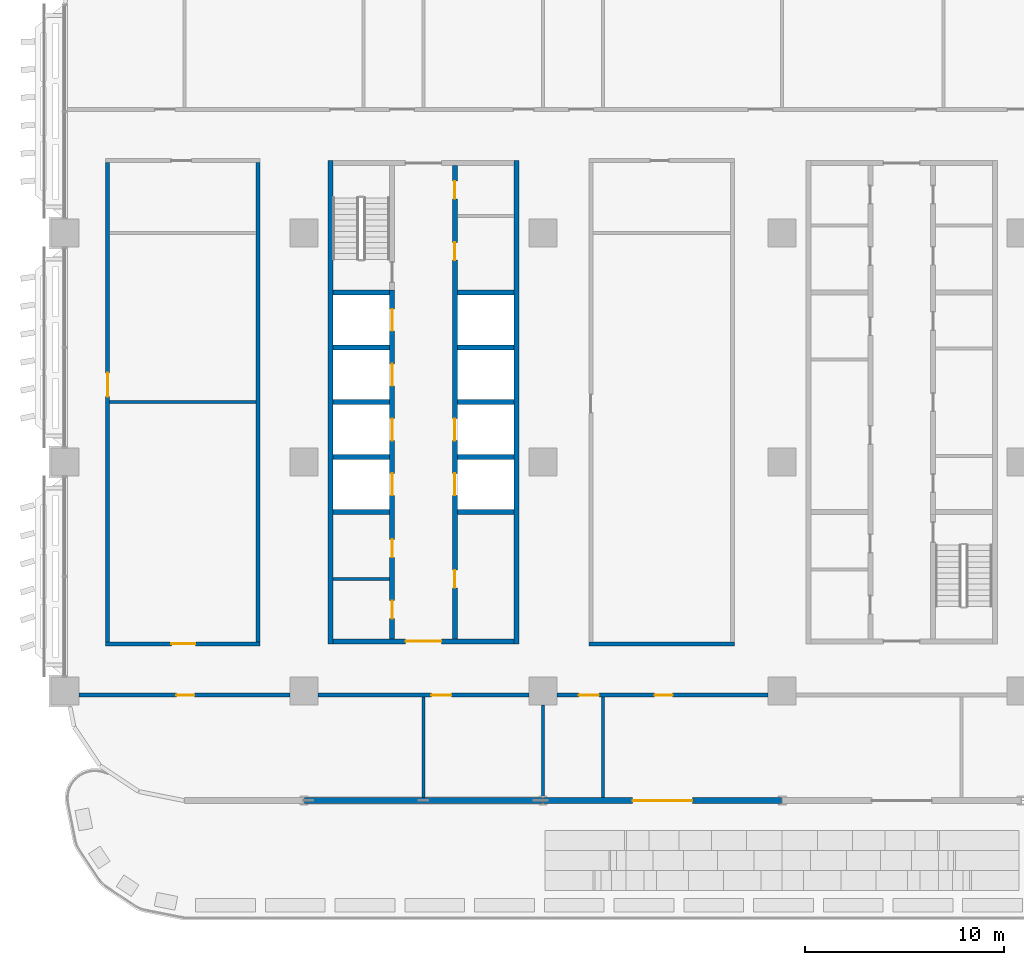
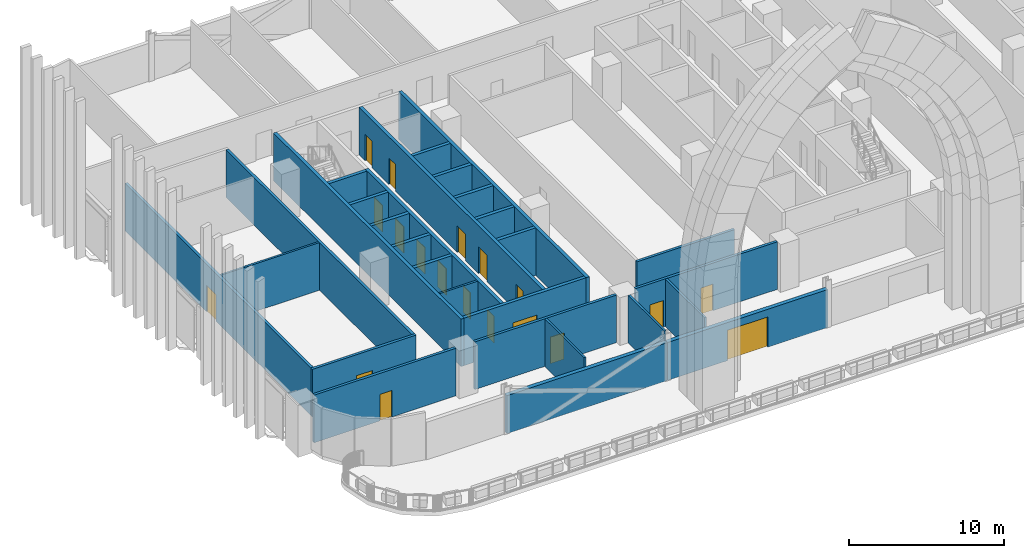
# One storey, part 10 of 31: 29 walls, 19 doors, 19 openings.
"""IFC4 building model written with IfcOpenShell, lengths in metres."""

from ifc_helpers import new_model, si_unit, direction, frame, frame_2d, origin, place, context, subcontext, project, spatial, rectangle, extrude, material, layer, layer_set, type_object, element, fill, save


model = new_model("IFC4")

# Units and contexts
model_context = context("Model", 3, precision=1e-05, world=origin(), true_north=direction((0.0, 1.0)))
body_context = subcontext(model_context, "Body", "Model", "MODEL_VIEW")
ifc_project = project(units=[si_unit("LENGTHUNIT", "METRE"), si_unit("AREAUNIT", "SQUARE_METRE"), si_unit("VOLUMEUNIT", "CUBIC_METRE"), si_unit("PLANEANGLEUNIT", "RADIAN"), si_unit("MASSUNIT", "GRAM", prefix="KILO")], contexts=[model_context])

# Site, building, storey
site_placement = place(None, origin())
site = spatial("IfcSite", under=ifc_project, at=site_placement, CompositionType="ELEMENT")
building_placement = place(site_placement, origin())
building = spatial("IfcBuilding", under=site, at=building_placement, Name="Mahtab Terrace Research Tower", CompositionType="ELEMENT")
storey_placement = place(building_placement, frame((0.0, 0.0, 84.800048828125)))
storey = spatial("IfcBuildingStorey", under=building, at=storey_placement, Name="L19", CompositionType="ELEMENT", Elevation=84.800048828125)

# Walls
ifc_material_1 = material(Name="Gypsum board partition")
ifc_layer_1 = layer(ifc_material_1, 0.14990234375)
ifc_layer_set_1 = layer_set([ifc_layer_1], Name="Core partition 150")
wall_type_1 = type_object("IfcWallType", Name="Core partition 150", PredefinedType="PARTITIONING", material=ifc_layer_set_1)
wall_1_placement = place(storey_placement, frame((-28.550048828125, -5.875, 0.0), z_axis=(0.0, 0.0, 1.0), x_axis=(1.0, 0.0, 0.0)))
element("IfcWall", 1, at=wall_1_placement, inside=storey, type_object=wall_type_1, Name="Core wall A pWS-888", PredefinedType="PARTITIONING", context=body_context, shape_type="SweptSolid", body=[
    extrude(rectangle(XDim=2.85009765625, YDim=0.14990234375, at=frame_2d((1.425048828125, 0.0))), origin(), (0.0, 0.0, 1.0), 3.760009765625),
])
ifc_material_2 = material(Name="Concrete C70/85", Category="concrete")
ifc_layer_2 = layer(ifc_material_2, 0.25)
ifc_layer_set_2 = layer_set([ifc_layer_2], Name="Core wall 250")
wall_type_2 = type_object("IfcWallType", Name="Core wall 250", PredefinedType="SOLIDWALL", material=ifc_layer_set_2)
for number, where, z_axis, x_axis, name in (
    (2, (-28.675048828125, 15.125, 0.0), (0.0, 0.0, 1.0), (0.0, -1.0, 0.0), "Core wall A outerW"),
    (3, (-19.324951171875, -9.125, 0.0), (0.0, 0.0, 1.0), (0.0, 1.0, 0.0), "Core wall A outerE"),
):
    element("IfcWall", number, at=place(storey_placement, frame(where, z_axis=z_axis, x_axis=x_axis)), inside=storey, type_object=wall_type_2, Name=name, PredefinedType="SOLIDWALL", context=body_context, shape_type="SweptSolid", body=[
        extrude(rectangle(XDim=24.25, YDim=0.25, at=frame_2d((12.125, 0.0))), origin(), (0.0, 0.0, 1.0), 3.760009765625),
    ])

# Wall, opening, door
wall_2_placement = place(storey_placement, frame((-19.449951171875, -9.0, 0.0), z_axis=(0.0, 0.0, 1.0), x_axis=(-1.0, 0.0, 0.0)))
wall_2 = element("IfcWall", 4, at=wall_2_placement, inside=storey, type_object=wall_type_2, Name="Core wall A endS", PredefinedType="SOLIDWALL", context=body_context, shape_type="SweptSolid", body=[
    extrude(rectangle(XDim=9.10009765625, YDim=0.25, at=frame_2d((4.550048828125, 0.0))), origin(), (0.0, 0.0, 1.0), 3.760009765625),
])
opening_1_placement = place(wall_2_placement, frame((3.64990234375, 0.0, 0.0)))
opening_1 = element("IfcOpeningElement", 5, at=opening_1_placement, cuts=wall_2, Name="Opening A-S1", PredefinedType="OPENING", context=body_context, shape_type="SweptSolid", body=[
    extrude(rectangle(XDim=1.800048828125, YDim=2.10009765625, at=frame_2d((0.89990234375, 1.050048828125))), frame((0.0, 0.135009765625, 0.0), z_axis=(0.0, -1.0, 0.0), x_axis=(1.0, 0.0, 0.0)), (0.0, 0.0, 1.0), 0.27001953125),
])
ifc_material_3 = material(Name="Steel fire door", Category="steel")
door_type_1 = type_object("IfcDoorType", Name="Lobby double door 1800x2100 1 HR", OperationType="DOUBLE_DOOR_SINGLE_SWING", PredefinedType="DOOR", material=ifc_material_3)
door_1_placement = place(opening_1_placement, origin())
door_1 = element("IfcDoor", 6, at=door_1_placement, inside=storey, type_object=door_type_1, Name="Core entrance door A S", OperationType="DOUBLE_DOOR_SINGLE_SWING", OverallHeight=2.10009765625, OverallWidth=1.800048828125, PredefinedType="DOOR", context=body_context, shape_type="SweptSolid", body=[
    extrude(rectangle(XDim=1.800048828125, YDim=2.10009765625, at=frame_2d((0.89990234375, 1.050048828125))), frame((0.0, 0.02490234375, 0.0), z_axis=(0.0, -1.0, 0.0), x_axis=(1.0, 0.0, 0.0)), (0.0, 0.0, 1.0), 0.050048828125),
])
fill(opening_1, door_1)

# Wall, openings, doors
wall_3_placement = place(storey_placement, frame((-25.574951171875, -8.875, 0.0), z_axis=(0.0, 0.0, 1.0), x_axis=(0.0, 1.0, 0.0)))
wall_3 = element("IfcWall", 7, at=wall_3_placement, inside=storey, type_object=wall_type_2, Name="Core wall A innerWSL", PredefinedType="SOLIDWALL", context=body_context, shape_type="SweptSolid", body=[
    extrude(rectangle(XDim=17.5, YDim=0.25, at=frame_2d((8.75, 0.0))), origin(), (0.0, 0.0, 1.0), 3.760009765625),
])
opening_2_placement = place(wall_3_placement, frame((7.199951171875, 0.0, 0.0)))
opening_2 = element("IfcOpeningElement", 8, at=opening_2_placement, cuts=wall_3, Name="Opening LD01-L19", PredefinedType="OPENING", context=body_context, shape_type="SweptSolid", body=[
    extrude(rectangle(XDim=1.10009765625, YDim=2.10009765625, at=frame_2d((0.550048828125, 1.050048828125))), frame((0.0, 0.135009765625, 0.0), z_axis=(0.0, -1.0, 0.0), x_axis=(1.0, 0.0, 0.0)), (0.0, 0.0, 1.0), 0.27001953125),
])
opening_3_placement = place(wall_3_placement, frame((9.949951171875, 0.0, 0.0)))
opening_3 = element("IfcOpeningElement", 9, at=opening_3_placement, cuts=wall_3, Name="Opening LD02-L19", PredefinedType="OPENING", context=body_context, shape_type="SweptSolid", body=[
    extrude(rectangle(XDim=1.10009765625, YDim=2.10009765625, at=frame_2d((0.550048828125, 1.050048828125))), frame((0.0, 0.135009765625, 0.0), z_axis=(0.0, -1.0, 0.0), x_axis=(1.0, 0.0, 0.0)), (0.0, 0.0, 1.0), 0.27001953125),
])
opening_4_placement = place(wall_3_placement, frame((12.699951171875, 0.0, 0.0)))
opening_4 = element("IfcOpeningElement", 10, at=opening_4_placement, cuts=wall_3, Name="Opening LD03-L19", PredefinedType="OPENING", context=body_context, shape_type="SweptSolid", body=[
    extrude(rectangle(XDim=1.10009765625, YDim=2.10009765625, at=frame_2d((0.550048828125, 1.050048828125))), frame((0.0, 0.135009765625, 0.0), z_axis=(0.0, -1.0, 0.0), x_axis=(1.0, 0.0, 0.0)), (0.0, 0.0, 1.0), 0.27001953125),
])
opening_5_placement = place(wall_3_placement, frame((15.449951171875, 0.0, 0.0)))
opening_5 = element("IfcOpeningElement", 11, at=opening_5_placement, cuts=wall_3, Name="Opening LD04-L19", PredefinedType="OPENING", context=body_context, shape_type="SweptSolid", body=[
    extrude(rectangle(XDim=1.10009765625, YDim=2.10009765625, at=frame_2d((0.550048828125, 1.050048828125))), frame((0.0, 0.135009765625, 0.0), z_axis=(0.0, -1.0, 0.0), x_axis=(1.0, 0.0, 0.0)), (0.0, 0.0, 1.0), 0.27001953125),
])
opening_6_placement = place(wall_3_placement, frame((1.012451171875, 0.0, 0.0)))
opening_6 = element("IfcOpeningElement", 12, at=opening_6_placement, cuts=wall_3, Name="Opening A-R1", PredefinedType="OPENING", context=body_context, shape_type="SweptSolid", body=[
    extrude(rectangle(XDim=0.89990234375, YDim=2.10009765625, at=frame_2d((0.449951171875, 1.050048828125))), frame((0.0, 0.135009765625, 0.0), z_axis=(0.0, -1.0, 0.0), x_axis=(1.0, 0.0, 0.0)), (0.0, 0.0, 1.0), 0.27001953125),
])
opening_7_placement = place(wall_3_placement, frame((4.08740234375, 0.0, 0.0)))
opening_7 = element("IfcOpeningElement", 13, at=opening_7_placement, cuts=wall_3, Name="Opening A-R2", PredefinedType="OPENING", context=body_context, shape_type="SweptSolid", body=[
    extrude(rectangle(XDim=0.89990234375, YDim=2.10009765625, at=frame_2d((0.449951171875, 1.050048828125))), frame((0.0, 0.135009765625, 0.0), z_axis=(0.0, -1.0, 0.0), x_axis=(1.0, 0.0, 0.0)), (0.0, 0.0, 1.0), 0.27001953125),
])
ifc_material_4 = material(Name="Stainless steel AISI 304", Category="steel")
door_type_2 = type_object("IfcDoorType", Name="Landing door 1100x2100", OperationType="DOUBLE_DOOR_SLIDING", PredefinedType="DOOR", material=ifc_material_4)
door_2_placement = place(opening_2_placement, origin())
door_2 = element("IfcDoor", 14, at=door_2_placement, inside=storey, type_object=door_type_2, Name="Landing door LR1 L19", OperationType="DOUBLE_DOOR_SLIDING", OverallHeight=2.10009765625, OverallWidth=1.10009765625, PredefinedType="DOOR", context=body_context, shape_type="SweptSolid", body=[
    extrude(rectangle(XDim=1.10009765625, YDim=2.10009765625, at=frame_2d((0.550048828125, 1.050048828125))), frame((0.0, 0.02490234375, 0.0), z_axis=(0.0, -1.0, 0.0), x_axis=(1.0, 0.0, 0.0)), (0.0, 0.0, 1.0), 0.050048828125),
])
fill(opening_2, door_2)
door_3_placement = place(opening_3_placement, origin())
door_3 = element("IfcDoor", 15, at=door_3_placement, inside=storey, type_object=door_type_2, Name="Landing door LR2 L19", OperationType="DOUBLE_DOOR_SLIDING", OverallHeight=2.10009765625, OverallWidth=1.10009765625, PredefinedType="DOOR", context=body_context, shape_type="SweptSolid", body=[
    extrude(rectangle(XDim=1.10009765625, YDim=2.10009765625, at=frame_2d((0.550048828125, 1.050048828125))), frame((0.0, 0.02490234375, 0.0), z_axis=(0.0, -1.0, 0.0), x_axis=(1.0, 0.0, 0.0)), (0.0, 0.0, 1.0), 0.050048828125),
])
fill(opening_3, door_3)
door_4_placement = place(opening_4_placement, origin())
door_4 = element("IfcDoor", 16, at=door_4_placement, inside=storey, type_object=door_type_2, Name="Landing door LR3 L19", OperationType="DOUBLE_DOOR_SLIDING", OverallHeight=2.10009765625, OverallWidth=1.10009765625, PredefinedType="DOOR", context=body_context, shape_type="SweptSolid", body=[
    extrude(rectangle(XDim=1.10009765625, YDim=2.10009765625, at=frame_2d((0.550048828125, 1.050048828125))), frame((0.0, 0.02490234375, 0.0), z_axis=(0.0, -1.0, 0.0), x_axis=(1.0, 0.0, 0.0)), (0.0, 0.0, 1.0), 0.050048828125),
])
fill(opening_4, door_4)
door_5_placement = place(opening_5_placement, origin())
door_5 = element("IfcDoor", 17, at=door_5_placement, inside=storey, type_object=door_type_2, Name="Landing door LR4 L19", OperationType="DOUBLE_DOOR_SLIDING", OverallHeight=2.10009765625, OverallWidth=1.10009765625, PredefinedType="DOOR", context=body_context, shape_type="SweptSolid", body=[
    extrude(rectangle(XDim=1.10009765625, YDim=2.10009765625, at=frame_2d((0.550048828125, 1.050048828125))), frame((0.0, 0.02490234375, 0.0), z_axis=(0.0, -1.0, 0.0), x_axis=(1.0, 0.0, 0.0)), (0.0, 0.0, 1.0), 0.050048828125),
])
fill(opening_5, door_5)
door_type_3 = type_object("IfcDoorType", Name="Room door 900x2100 1 HR", OperationType="NOTDEFINED", PredefinedType="DOOR", material=ifc_material_3)
door_6_placement = place(opening_6_placement, origin())
door_6 = element("IfcDoor", 18, at=door_6_placement, inside=storey, type_object=door_type_3, Name="Staff WC door", OperationType="SINGLE_SWING_LEFT", OverallHeight=2.10009765625, OverallWidth=0.89990234375, PredefinedType="DOOR", context=body_context, shape_type="SweptSolid", body=[
    extrude(rectangle(XDim=0.89990234375, YDim=2.10009765625, at=frame_2d((0.449951171875, 1.050048828125))), frame((0.0, 0.02490234375, 0.0), z_axis=(0.0, -1.0, 0.0), x_axis=(1.0, 0.0, 0.0)), (0.0, 0.0, 1.0), 0.050048828125),
])
fill(opening_6, door_6)
door_7_placement = place(opening_7_placement, origin())
door_7 = element("IfcDoor", 19, at=door_7_placement, inside=storey, type_object=door_type_3, Name="Accessible WC door", OperationType="SINGLE_SWING_RIGHT", OverallHeight=2.10009765625, OverallWidth=0.89990234375, PredefinedType="DOOR", context=body_context, shape_type="SweptSolid", body=[
    extrude(rectangle(XDim=0.89990234375, YDim=2.10009765625, at=frame_2d((0.449951171875, 1.050048828125))), frame((0.0, 0.02490234375, 0.0), z_axis=(0.0, -1.0, 0.0), x_axis=(1.0, 0.0, 0.0)), (0.0, 0.0, 1.0), 0.050048828125),
])
fill(opening_7, door_7)

wall_4_placement = place(storey_placement, frame((-22.425048828125, 14.875, 0.0), z_axis=(0.0, 0.0, 1.0), x_axis=(0.0, -1.0, 0.0)))
wall_4 = element("IfcWall", 20, at=wall_4_placement, inside=storey, type_object=wall_type_2, Name="Core wall A innerESLN", PredefinedType="SOLIDWALL", context=body_context, shape_type="SweptSolid", body=[
    extrude(rectangle(XDim=23.75, YDim=0.25, at=frame_2d((11.875, 0.0))), origin(), (0.0, 0.0, 1.0), 3.760009765625),
])
opening_8_placement = place(wall_4_placement, frame((15.449951171875, 0.0, 0.0)))
opening_8 = element("IfcOpeningElement", 21, at=opening_8_placement, cuts=wall_4, Name="Opening LD05-L19", PredefinedType="OPENING", context=body_context, shape_type="SweptSolid", body=[
    extrude(rectangle(XDim=1.10009765625, YDim=2.10009765625, at=frame_2d((0.550048828125, 1.050048828125))), frame((0.0, 0.135009765625, 0.0), z_axis=(0.0, -1.0, 0.0), x_axis=(1.0, 0.0, 0.0)), (0.0, 0.0, 1.0), 0.27001953125),
])
opening_9_placement = place(wall_4_placement, frame((12.699951171875, 0.0, 0.0)))
opening_9 = element("IfcOpeningElement", 22, at=opening_9_placement, cuts=wall_4, Name="Opening LD06-L19", PredefinedType="OPENING", context=body_context, shape_type="SweptSolid", body=[
    extrude(rectangle(XDim=1.10009765625, YDim=2.10009765625, at=frame_2d((0.550048828125, 1.050048828125))), frame((0.0, 0.135009765625, 0.0), z_axis=(0.0, -1.0, 0.0), x_axis=(1.0, 0.0, 0.0)), (0.0, 0.0, 1.0), 0.27001953125),
])
opening_10_placement = place(wall_4_placement, frame((20.300048828125, 0.0, 0.0)))
opening_10 = element("IfcOpeningElement", 23, at=opening_10_placement, cuts=wall_4, Name="Opening A-R3", PredefinedType="OPENING", context=body_context, shape_type="SweptSolid", body=[
    extrude(rectangle(XDim=0.89990234375, YDim=2.10009765625, at=frame_2d((0.449951171875, 1.050048828125))), frame((0.0, 0.135009765625, 0.0), z_axis=(0.0, -1.0, 0.0), x_axis=(1.0, 0.0, 0.0)), (0.0, 0.0, 1.0), 0.27001953125),
])
opening_11_placement = place(wall_4_placement, frame((3.847412109375, 0.0, 0.0)))
opening_11 = element("IfcOpeningElement", 24, at=opening_11_placement, cuts=wall_4, Name="Opening A-R4", PredefinedType="OPENING", context=body_context, shape_type="SweptSolid", body=[
    extrude(rectangle(XDim=0.89990234375, YDim=2.10009765625, at=frame_2d((0.449951171875, 1.050048828125))), frame((0.0, 0.135009765625, 0.0), z_axis=(0.0, -1.0, 0.0), x_axis=(1.0, 0.0, 0.0)), (0.0, 0.0, 1.0), 0.27001953125),
])
opening_12_placement = place(wall_4_placement, frame((0.7724609375, 0.0, 0.0)))
opening_12 = element("IfcOpeningElement", 25, at=opening_12_placement, cuts=wall_4, Name="Opening A-R5", PredefinedType="OPENING", context=body_context, shape_type="SweptSolid", body=[
    extrude(rectangle(XDim=0.89990234375, YDim=2.10009765625, at=frame_2d((0.449951171875, 1.050048828125))), frame((0.0, 0.135009765625, 0.0), z_axis=(0.0, -1.0, 0.0), x_axis=(1.0, 0.0, 0.0)), (0.0, 0.0, 1.0), 0.27001953125),
])
door_8_placement = place(opening_8_placement, origin())
door_8 = element("IfcDoor", 26, at=door_8_placement, inside=storey, type_object=door_type_2, Name="Landing door LR5 L19", OperationType="DOUBLE_DOOR_SLIDING", OverallHeight=2.10009765625, OverallWidth=1.10009765625, PredefinedType="DOOR", context=body_context, shape_type="SweptSolid", body=[
    extrude(rectangle(XDim=1.10009765625, YDim=2.10009765625, at=frame_2d((0.550048828125, 1.050048828125))), frame((0.0, 0.02490234375, 0.0), z_axis=(0.0, -1.0, 0.0), x_axis=(1.0, 0.0, 0.0)), (0.0, 0.0, 1.0), 0.050048828125),
])
fill(opening_8, door_8)
door_9_placement = place(opening_9_placement, origin())
door_9 = element("IfcDoor", 27, at=door_9_placement, inside=storey, type_object=door_type_2, Name="Landing door LR6 L19", OperationType="DOUBLE_DOOR_SLIDING", OverallHeight=2.10009765625, OverallWidth=1.10009765625, PredefinedType="DOOR", context=body_context, shape_type="SweptSolid", body=[
    extrude(rectangle(XDim=1.10009765625, YDim=2.10009765625, at=frame_2d((0.550048828125, 1.050048828125))), frame((0.0, 0.02490234375, 0.0), z_axis=(0.0, -1.0, 0.0), x_axis=(1.0, 0.0, 0.0)), (0.0, 0.0, 1.0), 0.050048828125),
])
fill(opening_9, door_9)
door_10_placement = place(opening_10_placement, origin())
door_10 = element("IfcDoor", 28, at=door_10_placement, inside=storey, type_object=door_type_3, Name="Gas cylinder store door", OperationType="SINGLE_SWING_LEFT", OverallHeight=2.10009765625, OverallWidth=0.89990234375, PredefinedType="DOOR", context=body_context, shape_type="SweptSolid", body=[
    extrude(rectangle(XDim=0.89990234375, YDim=2.10009765625, at=frame_2d((0.449951171875, 1.050048828125))), frame((0.0, 0.02490234375, 0.0), z_axis=(0.0, -1.0, 0.0), x_axis=(1.0, 0.0, 0.0)), (0.0, 0.0, 1.0), 0.050048828125),
])
fill(opening_10, door_10)
door_11_placement = place(opening_11_placement, origin())
door_11 = element("IfcDoor", 29, at=door_11_placement, inside=storey, type_object=door_type_3, Name="Pantry door", OperationType="SINGLE_SWING_RIGHT", OverallHeight=2.10009765625, OverallWidth=0.89990234375, PredefinedType="DOOR", context=body_context, shape_type="SweptSolid", body=[
    extrude(rectangle(XDim=0.89990234375, YDim=2.10009765625, at=frame_2d((0.449951171875, 1.050048828125))), frame((0.0, 0.02490234375, 0.0), z_axis=(0.0, -1.0, 0.0), x_axis=(1.0, 0.0, 0.0)), (0.0, 0.0, 1.0), 0.050048828125),
])
fill(opening_11, door_11)
door_12_placement = place(opening_12_placement, origin())
door_12 = element("IfcDoor", 30, at=door_12_placement, inside=storey, type_object=door_type_3, Name="Linen store door", OperationType="SINGLE_SWING_LEFT", OverallHeight=2.10009765625, OverallWidth=0.89990234375, PredefinedType="DOOR", context=body_context, shape_type="SweptSolid", body=[
    extrude(rectangle(XDim=0.89990234375, YDim=2.10009765625, at=frame_2d((0.449951171875, 1.050048828125))), frame((0.0, 0.02490234375, 0.0), z_axis=(0.0, -1.0, 0.0), x_axis=(1.0, 0.0, 0.0)), (0.0, 0.0, 1.0), 0.050048828125),
])
fill(opening_12, door_12)

# Walls
for number, where, z_axis, x_axis, name in (
    (31, (-28.550048828125, -2.5, 0.0), (0.0, 0.0, 1.0), (1.0, 0.0, 0.0), "Core wall A divW0"),
    (32, (-28.550048828125, 0.25, 0.0), (0.0, 0.0, 1.0), (1.0, 0.0, 0.0), "Core wall A divW1"),
    (33, (-28.550048828125, 3.0, 0.0), (0.0, 0.0, 1.0), (1.0, 0.0, 0.0), "Core wall A divW2"),
    (34, (-28.550048828125, 5.75, 0.0), (0.0, 0.0, 1.0), (1.0, 0.0, 0.0), "Core wall A divW3"),
    (35, (-28.550048828125, 8.5, 0.0), (0.0, 0.0, 1.0), (1.0, 0.0, 0.0), "Core wall A divW4"),
    (36, (-22.300048828125, -2.5, 0.0), (0.0, 0.0, 1.0), (1.0, 0.0, 0.0), "Core wall A divE0"),
    (37, (-22.300048828125, 0.25, 0.0), (0.0, 0.0, 1.0), (1.0, 0.0, 0.0), "Core wall A divE1"),
    (38, (-22.300048828125, 3.0, 0.0), (0.0, 0.0, 1.0), (1.0, 0.0, 0.0), "Core wall A divE2"),
    (39, (-22.300048828125, 5.75, 0.0), (0.0, 0.0, 1.0), (1.0, 0.0, 0.0), "Core wall A divE3"),
    (40, (-22.300048828125, 8.5, 0.0), (0.0, 0.0, 1.0), (1.0, 0.0, 0.0), "Core wall A divE4"),
):
    element("IfcWall", number, at=place(storey_placement, frame(where, z_axis=z_axis, x_axis=x_axis)), inside=storey, type_object=wall_type_2, Name=name, PredefinedType="SOLIDWALL", context=body_context, shape_type="SweptSolid", body=[
        extrude(rectangle(XDim=2.85009765625, YDim=0.25, at=frame_2d((1.425048828125, 0.0))), origin(), (0.0, 0.0, 1.0), 3.760009765625),
    ])
ifc_material_5 = material(Name="Black aluminium cladding panel", Category="aluminium")
ifc_layer_3 = layer(ifc_material_5, 0.300048828125)
ifc_layer_set_3 = layer_set([ifc_layer_3], Name="Opaque facade wall 300")
wall_type_3 = type_object("IfcWallType", Name="Opaque facade wall 300", PredefinedType="NOTDEFINED", material=ifc_layer_set_3)
wall_5_placement = place(storey_placement, frame((-29.97900390625, -17.0, 0.0), z_axis=(0.0, 0.0, 1.0), x_axis=(1.0, 0.0, 0.0)))
element("IfcWall", 41, at=wall_5_placement, inside=storey, type_object=wall_type_3, Name="Opaque facade wall L19 S24", PredefinedType="NOTDEFINED", context=body_context, shape_type="SweptSolid", body=[
    extrude(rectangle(XDim=11.9580078125, YDim=0.300048828125, at=frame_2d((5.97900390625, 0.0))), origin(), (0.0, 0.0, 1.0), 3.0029296875),
])

# Wall, opening, door
wall_6_placement = place(storey_placement, frame((-17.97900390625, -17.0, 0.0), z_axis=(0.0, 0.0, 1.0), x_axis=(1.0, 0.0, 0.0)))
wall_6 = element("IfcWall", 42, at=wall_6_placement, inside=storey, type_object=wall_type_3, Name="Opaque facade wall L19 S25", PredefinedType="NOTDEFINED", context=body_context, shape_type="SweptSolid", body=[
    extrude(rectangle(XDim=11.9580078125, YDim=0.300048828125, at=frame_2d((5.97900390625, 0.0))), origin(), (0.0, 0.0, 1.0), 3.0029296875),
])
opening_13_placement = place(wall_6_placement, frame((4.47900390625, 0.0, 0.0)))
opening_13 = element("IfcOpeningElement", 43, at=opening_13_placement, cuts=wall_6, Name="Opening ED1", PredefinedType="OPENING", context=body_context, shape_type="SweptSolid", body=[
    extrude(rectangle(XDim=3.0, YDim=2.39990234375, at=frame_2d((1.5, 1.199951171875))), frame((0.0, 0.159912109375, 0.0), z_axis=(0.0, -1.0, 0.0), x_axis=(1.0, 0.0, 0.0)), (0.0, 0.0, 1.0), 0.320068359375),
])
ifc_material_6 = material(Name="Black anodised aluminium", Category="aluminium")
door_type_4 = type_object("IfcDoorType", Name="Terrace double door 3000x2400", OperationType="DOUBLE_DOOR_DOUBLE_SWING", PredefinedType="DOOR", material=ifc_material_6)
door_13_placement = place(opening_13_placement, origin())
door_13 = element("IfcDoor", 44, at=door_13_placement, inside=storey, type_object=door_type_4, Name="Terrace door L19 S", OperationType="SINGLE_SWING_LEFT", OverallHeight=2.39990234375, OverallWidth=3.0, PredefinedType="DOOR", context=body_context, shape_type="SweptSolid", body=[
    extrude(rectangle(XDim=3.0, YDim=2.39990234375, at=frame_2d((1.5, 1.199951171875))), frame((0.0, 0.02490234375, 0.0), z_axis=(0.0, -1.0, 0.0), x_axis=(1.0, 0.0, 0.0)), (0.0, 0.0, 1.0), 0.050048828125),
])
fill(opening_13, door_13)

ifc_material_7 = material(Name="Gypsum board corridor wall on steel studs", Category="steel")
ifc_layer_4 = layer(ifc_material_7, 0.199951171875)
ifc_layer_set_4 = layer_set([ifc_layer_4], Name="WALL CORRIDOR 200")
wall_type_4 = type_object("IfcWallType", Name="WALL CORRIDOR 200", PredefinedType="PARTITIONING", material=ifc_layer_set_4)
wall_7_placement = place(storey_placement, frame((-41.300048828125, -11.699951171875, 0.0), z_axis=(0.0, 0.0, 1.0), x_axis=(1.0, 0.0, 0.0)))
wall_7 = element("IfcWall", 45, at=wall_7_placement, inside=storey, type_object=wall_type_4, Name="L19-W001", PredefinedType="PARTITIONING", context=body_context, shape_type="SweptSolid", body=[
    extrude(rectangle(XDim=10.60009765625, YDim=0.199951171875, at=frame_2d((5.300048828125, 0.0))), origin(), (0.0, 0.0, 1.0), 3.760009765625),
])
opening_14_placement = place(wall_7_placement, frame((4.89990234375, 0.0, 0.0)))
opening_14 = element("IfcOpeningElement", 46, at=opening_14_placement, cuts=wall_7, Name="Opening L19-101", PredefinedType="OPENING", context=body_context, shape_type="SweptSolid", body=[
    extrude(rectangle(XDim=0.89990234375, YDim=2.10009765625, at=frame_2d((0.449951171875, 1.050048828125))), frame((0.0, 0.10986328125, 0.0), z_axis=(0.0, -1.0, 0.0), x_axis=(1.0, 0.0, 0.0)), (0.0, 0.0, 1.0), 0.219970703125),
])
ifc_material_8 = material(Name="Timber door leaf in steel frame", Category="steel")
door_type_5 = type_object("IfcDoorType", Name="DOOR 0900X2100 FD30S", OperationType="SINGLE_SWING_LEFT", PredefinedType="DOOR", material=ifc_material_8)
door_14_placement = place(opening_14_placement, origin())
door_14 = element("IfcDoor", 47, at=door_14_placement, inside=storey, type_object=door_type_5, Name="Door L19-101", OperationType="SINGLE_SWING_LEFT", OverallHeight=2.10009765625, OverallWidth=0.89990234375, PredefinedType="DOOR", context=body_context, shape_type="SweptSolid", body=[
    extrude(rectangle(XDim=0.89990234375, YDim=2.10009765625, at=frame_2d((0.449951171875, 1.050048828125))), frame((0.0, 0.02490234375, 0.0), z_axis=(0.0, -1.0, 0.0), x_axis=(1.0, 0.0, 0.0)), (0.0, 0.0, 1.0), 0.050048828125),
])
fill(opening_14, door_14)

wall_8_placement = place(storey_placement, frame((-29.300048828125, -11.699951171875, 0.0), z_axis=(0.0, 0.0, 1.0), x_axis=(1.0, 0.0, 0.0)))
wall_8 = element("IfcWall", 48, at=wall_8_placement, inside=storey, type_object=wall_type_4, Name="L19-W002", PredefinedType="PARTITIONING", context=body_context, shape_type="SweptSolid", body=[
    extrude(rectangle(XDim=10.60009765625, YDim=0.199951171875, at=frame_2d((5.300048828125, 0.0))), origin(), (0.0, 0.0, 1.0), 3.760009765625),
])
opening_15_placement = place(wall_8_placement, frame((5.699951171875, 0.0, 0.0)))
opening_15 = element("IfcOpeningElement", 49, at=opening_15_placement, cuts=wall_8, Name="Opening L19-102", PredefinedType="OPENING", context=body_context, shape_type="SweptSolid", body=[
    extrude(rectangle(XDim=1.0, YDim=2.10009765625, at=frame_2d((0.5, 1.050048828125))), frame((0.0, 0.10986328125, 0.0), z_axis=(0.0, -1.0, 0.0), x_axis=(1.0, 0.0, 0.0)), (0.0, 0.0, 1.0), 0.219970703125),
])
door_type_6 = type_object("IfcDoorType", Name="DOOR 1000X2100 FD30S", OperationType="SINGLE_SWING_LEFT", PredefinedType="DOOR", material=ifc_material_8)
door_15_placement = place(opening_15_placement, origin())
door_15 = element("IfcDoor", 50, at=door_15_placement, inside=storey, type_object=door_type_6, Name="Door L19-102", OperationType="SINGLE_SWING_LEFT", OverallHeight=2.10009765625, OverallWidth=1.0, PredefinedType="DOOR", context=body_context, shape_type="SweptSolid", body=[
    extrude(rectangle(XDim=1.0, YDim=2.10009765625, at=frame_2d((0.5, 1.050048828125))), frame((0.0, 0.02490234375, 0.0), z_axis=(0.0, -1.0, 0.0), x_axis=(1.0, 0.0, 0.0)), (0.0, 0.0, 1.0), 0.050048828125),
])
fill(opening_15, door_15)

# Wall, openings, doors
wall_9_placement = place(storey_placement, frame((-17.300048828125, -11.699951171875, 0.0), z_axis=(0.0, 0.0, 1.0), x_axis=(1.0, 0.0, 0.0)))
wall_9 = element("IfcWall", 51, at=wall_9_placement, inside=storey, type_object=wall_type_4, Name="L19-W003", PredefinedType="PARTITIONING", context=body_context, shape_type="SweptSolid", body=[
    extrude(rectangle(XDim=10.60009765625, YDim=0.199951171875, at=frame_2d((5.300048828125, 0.0))), origin(), (0.0, 0.0, 1.0), 3.760009765625),
])
opening_16_placement = place(wall_9_placement, frame((1.10009765625, 0.0, 0.0)))
opening_16 = element("IfcOpeningElement", 52, at=opening_16_placement, cuts=wall_9, Name="Opening L19-103", PredefinedType="OPENING", context=body_context, shape_type="SweptSolid", body=[
    extrude(rectangle(XDim=1.0, YDim=2.10009765625, at=frame_2d((0.5, 1.050048828125))), frame((0.0, 0.10986328125, 0.0), z_axis=(0.0, -1.0, 0.0), x_axis=(1.0, 0.0, 0.0)), (0.0, 0.0, 1.0), 0.219970703125),
])
opening_17_placement = place(wall_9_placement, frame((4.89990234375, 0.0, 0.0)))
opening_17 = element("IfcOpeningElement", 53, at=opening_17_placement, cuts=wall_9, Name="Opening L19-104", PredefinedType="OPENING", context=body_context, shape_type="SweptSolid", body=[
    extrude(rectangle(XDim=0.89990234375, YDim=2.10009765625, at=frame_2d((0.449951171875, 1.050048828125))), frame((0.0, 0.10986328125, 0.0), z_axis=(0.0, -1.0, 0.0), x_axis=(1.0, 0.0, 0.0)), (0.0, 0.0, 1.0), 0.219970703125),
])
door_16_placement = place(opening_17_placement, origin())
door_16 = element("IfcDoor", 54, at=door_16_placement, inside=storey, type_object=door_type_5, Name="Door L19-104", OperationType="SINGLE_SWING_LEFT", OverallHeight=2.10009765625, OverallWidth=0.89990234375, PredefinedType="DOOR", context=body_context, shape_type="SweptSolid", body=[
    extrude(rectangle(XDim=0.89990234375, YDim=2.10009765625, at=frame_2d((0.449951171875, 1.050048828125))), frame((0.0, 0.02490234375, 0.0), z_axis=(0.0, -1.0, 0.0), x_axis=(1.0, 0.0, 0.0)), (0.0, 0.0, 1.0), 0.050048828125),
])
fill(opening_17, door_16)
door_17_placement = place(opening_16_placement, origin())
door_17 = element("IfcDoor", 55, at=door_17_placement, inside=storey, type_object=door_type_6, Name="Door L19-103", OperationType="SINGLE_SWING_RIGHT", OverallHeight=2.10009765625, OverallWidth=1.0, PredefinedType="DOOR", context=body_context, shape_type="SweptSolid", body=[
    extrude(rectangle(XDim=1.0, YDim=2.10009765625, at=frame_2d((0.5, 1.050048828125))), frame((0.0, 0.02490234375, 0.0), z_axis=(0.0, -1.0, 0.0), x_axis=(1.0, 0.0, 0.0)), (0.0, 0.0, 1.0), 0.050048828125),
])
fill(opening_16, door_17)

# Wall, opening, door
wall_10_placement = place(storey_placement, frame((-39.949951171875, -9.125, 0.0), z_axis=(0.0, 0.0, 1.0), x_axis=(1.0, 0.0, 0.0)))
wall_10 = element("IfcWall", 56, at=wall_10_placement, inside=storey, type_object=wall_type_4, Name="L19-W009", PredefinedType="PARTITIONING", context=body_context, shape_type="SweptSolid", body=[
    extrude(rectangle(XDim=7.75, YDim=0.199951171875, at=frame_2d((3.875, 0.0))), origin(), (0.0, 0.0, 1.0), 3.760009765625),
])
opening_18_placement = place(wall_10_placement, frame((3.300048828125, 0.0, 0.0)))
opening_18 = element("IfcOpeningElement", 57, at=opening_18_placement, cuts=wall_10, Name="Opening L19-111", PredefinedType="OPENING", context=body_context, shape_type="SweptSolid", body=[
    extrude(rectangle(XDim=1.199951171875, YDim=2.10009765625, at=frame_2d((0.60009765625, 1.050048828125))), frame((0.0, 0.10986328125, 0.0), z_axis=(0.0, -1.0, 0.0), x_axis=(1.0, 0.0, 0.0)), (0.0, 0.0, 1.0), 0.219970703125),
])
door_type_7 = type_object("IfcDoorType", Name="DOOR 1200X2100 FD30S", OperationType="SINGLE_SWING_LEFT", PredefinedType="DOOR", material=ifc_material_8)
door_18_placement = place(opening_18_placement, origin())
door_18 = element("IfcDoor", 58, at=door_18_placement, inside=storey, type_object=door_type_7, Name="Door L19-111", OperationType="SINGLE_SWING_RIGHT", OverallHeight=2.10009765625, OverallWidth=1.199951171875, PredefinedType="DOOR", context=body_context, shape_type="SweptSolid", body=[
    extrude(rectangle(XDim=1.199951171875, YDim=2.10009765625, at=frame_2d((0.60009765625, 1.050048828125))), frame((0.0, 0.02490234375, 0.0), z_axis=(0.0, -1.0, 0.0), x_axis=(1.0, 0.0, 0.0)), (0.0, 0.0, 1.0), 0.050048828125),
])
fill(opening_18, door_18)

# Wall
wall_11_placement = place(storey_placement, frame((-15.699951171875, -9.125, 0.0), z_axis=(0.0, 0.0, 1.0), x_axis=(1.0, 0.0, 0.0)))
element("IfcWall", 59, at=wall_11_placement, inside=storey, type_object=wall_type_4, Name="L19-W010", PredefinedType="PARTITIONING", context=body_context, shape_type="SweptSolid", body=[
    extrude(rectangle(XDim=7.300048828125, YDim=0.199951171875, at=frame_2d((3.64990234375, 0.0))), origin(), (0.0, 0.0, 1.0), 3.760009765625),
])

# Wall, opening, door
wall_12_placement = place(storey_placement, frame((-39.85009765625, -9.02490234375, 0.0), z_axis=(0.0, 0.0, 1.0), x_axis=(0.0, 1.0, 0.0)))
wall_12 = element("IfcWall", 60, at=wall_12_placement, inside=storey, type_object=wall_type_4, Name="L19-W025", PredefinedType="PARTITIONING", context=body_context, shape_type="SweptSolid", body=[
    extrude(rectangle(XDim=24.0498046875, YDim=0.199951171875, at=frame_2d((12.02490234375, 0.0))), origin(), (0.0, 0.0, 1.0), 3.760009765625),
])
opening_19_placement = place(wall_12_placement, frame((12.300048828125, 0.0, 0.0)))
opening_19 = element("IfcOpeningElement", 61, at=opening_19_placement, cuts=wall_12, Name="Opening L19-116", PredefinedType="OPENING", context=body_context, shape_type="SweptSolid", body=[
    extrude(rectangle(XDim=1.199951171875, YDim=2.10009765625, at=frame_2d((0.60009765625, 1.050048828125))), frame((0.0, 0.10986328125, 0.0), z_axis=(0.0, -1.0, 0.0), x_axis=(1.0, 0.0, 0.0)), (0.0, 0.0, 1.0), 0.219970703125),
])
door_19_placement = place(opening_19_placement, origin())
door_19 = element("IfcDoor", 62, at=door_19_placement, inside=storey, type_object=door_type_7, Name="Door L19-116", OperationType="SINGLE_SWING_LEFT", OverallHeight=2.10009765625, OverallWidth=1.199951171875, PredefinedType="DOOR", context=body_context, shape_type="SweptSolid", body=[
    extrude(rectangle(XDim=1.199951171875, YDim=2.10009765625, at=frame_2d((0.60009765625, 1.050048828125))), frame((0.0, 0.02490234375, 0.0), z_axis=(0.0, -1.0, 0.0), x_axis=(1.0, 0.0, 0.0)), (0.0, 0.0, 1.0), 0.050048828125),
])
fill(opening_19, door_19)

# Walls
wall_13_placement = place(storey_placement, frame((-32.300048828125, -9.02490234375, 0.0), z_axis=(0.0, 0.0, 1.0), x_axis=(0.0, 1.0, 0.0)))
element("IfcWall", 63, at=wall_13_placement, inside=storey, type_object=wall_type_4, Name="L19-W027", PredefinedType="PARTITIONING", context=body_context, shape_type="SweptSolid", body=[
    extrude(rectangle(XDim=24.0498046875, YDim=0.199951171875, at=frame_2d((12.02490234375, 0.0))), origin(), (0.0, 0.0, 1.0), 3.760009765625),
])
ifc_material_9 = material(Name="Gypsum board partition on steel studs", Category="steel")
ifc_layer_5 = layer(ifc_material_9, 0.14990234375)
ifc_layer_set_5 = layer_set([ifc_layer_5], Name="WALL PARTITION 150")
wall_type_5 = type_object("IfcWallType", Name="WALL PARTITION 150", PredefinedType="PARTITIONING", material=ifc_layer_set_5)
wall_14_placement = place(storey_placement, frame((-39.75, 3.0, 0.0), z_axis=(0.0, 0.0, 1.0), x_axis=(1.0, 0.0, 0.0)))
element("IfcWall", 64, at=wall_14_placement, inside=storey, type_object=wall_type_5, Name="L19-W013", PredefinedType="PARTITIONING", context=body_context, shape_type="SweptSolid", body=[
    extrude(rectangle(XDim=7.35009765625, YDim=0.14990234375, at=frame_2d((3.675048828125, 0.0))), origin(), (0.0, 0.0, 1.0), 3.760009765625),
])
wall_15_placement = place(storey_placement, frame((-24.0, -16.85009765625, 0.0), z_axis=(0.0, 0.0, 1.0), x_axis=(0.0, 1.0, 0.0)))
element("IfcWall", 65, at=wall_15_placement, inside=storey, type_object=wall_type_5, Name="L19-W029", PredefinedType="PARTITIONING", context=body_context, shape_type="SweptSolid", body=[
    extrude(rectangle(XDim=5.050048828125, YDim=0.14990234375, at=frame_2d((2.52490234375, 0.0))), origin(), (0.0, 0.0, 1.0), 3.760009765625),
])
wall_16_placement = place(storey_placement, frame((-18.0, -16.85009765625, 0.0), z_axis=(0.0, 0.0, 1.0), x_axis=(0.0, 1.0, 0.0)))
element("IfcWall", 66, at=wall_16_placement, inside=storey, type_object=wall_type_5, Name="L19-W031", PredefinedType="PARTITIONING", context=body_context, shape_type="SweptSolid", body=[
    extrude(rectangle(XDim=4.650146484375, YDim=0.14990234375, at=frame_2d((2.3251953125, 0.0))), origin(), (0.0, 0.0, 1.0), 3.760009765625),
])
wall_17_placement = place(storey_placement, frame((-15.0, -16.85009765625, 0.0), z_axis=(0.0, 0.0, 1.0), x_axis=(0.0, 1.0, 0.0)))
element("IfcWall", 67, at=wall_17_placement, inside=storey, type_object=wall_type_5, Name="L19-W034", PredefinedType="PARTITIONING", context=body_context, shape_type="SweptSolid", body=[
    extrude(rectangle(XDim=5.050048828125, YDim=0.14990234375, at=frame_2d((2.52490234375, 0.0))), origin(), (0.0, 0.0, 1.0), 3.760009765625),
])

save(model, "model.ifc")
